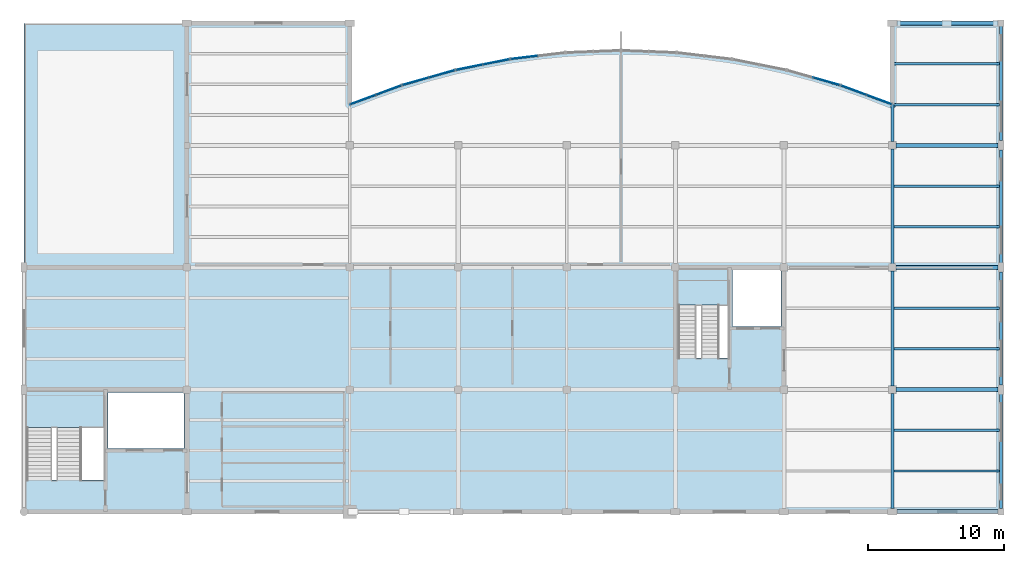
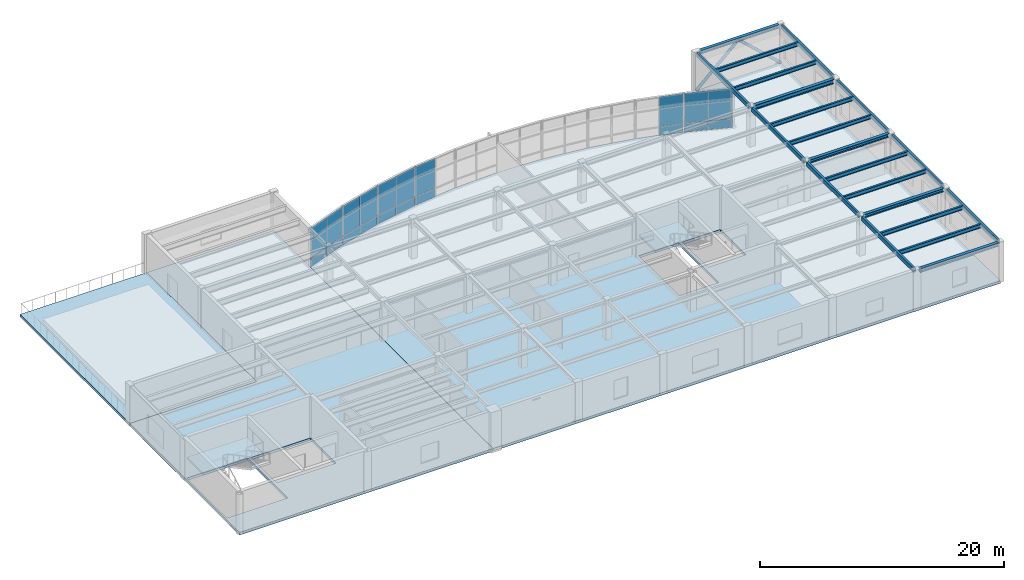
# One storey, part 5 of 12: 30 plates, 21 beams, 5 slabs, 2 members, 8 elements without a shape of their own.
"""IFC4 building model written with IfcOpenShell, lengths in metres."""

from ifc_helpers import new_model, si_unit, direction, frame, origin, origin_2d, place, context, subcontext, project, spatial, polyline, rectangle, hollow_rectangle, hollow_circle, i_section, outline, extrude, material, layer, layer_set, material_profile, profile_set, type_object, element, aggregate, save


model = new_model("IFC4")

# Units and contexts
model_context = context("Model", 3, precision=1e-05, world=origin(), true_north=direction((0.0, 1.0)))
body_context = subcontext(model_context, "Body", "Model", "MODEL_VIEW")
ifc_project = project(units=[si_unit("LENGTHUNIT", "METRE"), si_unit("AREAUNIT", "SQUARE_METRE"), si_unit("VOLUMEUNIT", "CUBIC_METRE"), si_unit("PLANEANGLEUNIT", "RADIAN"), si_unit("MASSUNIT", "GRAM", prefix="KILO")], contexts=[model_context])

# Site, building, storey
site_placement = place(None, origin())
site = spatial("IfcSite", under=ifc_project, at=site_placement, CompositionType="ELEMENT")
building_placement = place(site_placement, origin())
building = spatial("IfcBuilding", under=site, at=building_placement, Name="Keelwater Ferry Terminal", CompositionType="ELEMENT")
storey_placement = place(building_placement, frame((0.0, 0.0, 19.5)))
storey = spatial("IfcBuildingStorey", under=building, at=storey_placement, Name="L04", CompositionType="ELEMENT", Elevation=19.5)

# Members
ifc_material_1 = material(Name="Steel S355", Category="steel")
ifc_material_profile_1 = material_profile(ifc_material_1, hollow_circle(Radius=0.136474609375, WallThickness=0.012451171875, at=origin_2d()), Name="CHS 273x12.5")
ifc_profile_set_1 = profile_set([ifc_material_profile_1], Name="Steel S355")
member_type = type_object("IfcMemberType", Name="BR2 CHS 273x12.5", PredefinedType="BRACE", material=ifc_profile_set_1)
for number, where, z_axis, x_axis, name in (
    (1, (172.0, 126.0, 0.0), (0.735020121009, 0.0, 0.678045294735), (0.0, 1.0, 0.0), "Structural Member MB-L04-0587"),
    (2, (180.0, 126.0, 0.0), (-0.735020121009, 0.0, 0.678045294735), (0.0, -1.0, 0.0), "Structural Member MB-L04-0588"),
):
    element("IfcMember", number, at=place(storey_placement, frame(where, z_axis=z_axis, x_axis=x_axis)), inside=storey, type_object=member_type, Name=name, PredefinedType="BRACE", context=body_context, shape_type="SweptSolid", body=[
        extrude(hollow_circle(Radius=0.136474609375, WallThickness=0.012451171875, at=origin_2d()), origin(), (0.0, 0.0, 1.0), 5.442138671875),
    ])

# Beams
ifc_material_2 = material(Name="Steel S355", Category="steel")
ifc_material_profile_2 = material_profile(ifc_material_2, i_section(OverallWidth=0.300048828125, OverallDepth=0.449951171875, WebThickness=0.013916015625, FlangeThickness=0.02587890625, at=origin_2d()), Name="HEB 450")
ifc_profile_set_2 = profile_set([ifc_material_profile_2], Name="Steel S355")
beam_type_1 = type_object("IfcBeamType", Name="G6 HEB 450", PredefinedType="BEAM", material=ifc_profile_set_2)
beam_1_placement = place(storey_placement, frame((172.27001953125, 117.0, 3.715087890625), z_axis=(1.0, 0.0, 0.0), x_axis=(0.0, 1.0, 0.0)))
element("IfcBeam", 3, at=beam_1_placement, inside=storey, type_object=beam_type_1, Name="Beam BM-L04-1484", PredefinedType="BEAM", context=body_context, shape_type="SweptSolid", body=[
    extrude(i_section(OverallWidth=0.300048828125, OverallDepth=0.449951171875, WebThickness=0.013916015625, FlangeThickness=0.02587890625, at=origin_2d()), origin(), (0.0, 0.0, 1.0), 7.510009765625),
])
ifc_material_3 = material(Name="Steel S355", Category="steel")
ifc_material_profile_3 = material_profile(ifc_material_3, i_section(OverallWidth=0.179931640625, OverallDepth=0.39990234375, WebThickness=0.008544921875, FlangeThickness=0.013427734375, at=origin_2d()), Name="IPE 400")
ifc_profile_set_3 = profile_set([ifc_material_profile_3], Name="Steel S355")
beam_type_2 = type_object("IfcBeamType", Name="J5 IPE 400", PredefinedType="JOIST", material=ifc_profile_set_3)
for number, where, z_axis, x_axis, name in (
    (4, (172.10009765625, 93.0, 3.739990234375), (1.0, 0.0, 0.0), (0.0, 1.0, 0.0), "Beam BM-L04-1558"),
    (5, (172.10009765625, 96.0, 3.739990234375), (1.0, 0.0, 0.0), (0.0, 1.0, 0.0), "Beam BM-L04-1559"),
    (6, (172.10009765625, 102.0, 3.739990234375), (1.0, 0.0, 0.0), (0.0, 1.0, 0.0), "Beam BM-L04-1560"),
    (7, (172.10009765625, 105.0, 3.739990234375), (1.0, 0.0, 0.0), (0.0, 1.0, 0.0), "Beam BM-L04-1561"),
    (8, (172.10009765625, 111.0, 3.739990234375), (1.0, 0.0, 0.0), (0.0, 1.0, 0.0), "Beam BM-L04-1562"),
    (9, (172.10009765625, 114.0, 3.739990234375), (1.0, 0.0, 0.0), (0.0, 1.0, 0.0), "Beam BM-L04-1563"),
    (10, (172.10009765625, 120.0, 3.739990234375), (1.0, 0.0, 0.0), (0.0, 1.0, 0.0), "Beam BM-L04-1564"),
    (11, (172.10009765625, 123.0, 3.739990234375), (1.0, 0.0, 0.0), (0.0, 1.0, 0.0), "Beam BM-L04-1565"),
):
    element("IfcBeam", number, at=place(storey_placement, frame(where, z_axis=z_axis, x_axis=x_axis)), inside=storey, type_object=beam_type_2, Name=name, PredefinedType="JOIST", context=body_context, shape_type="SweptSolid", body=[
        extrude(i_section(OverallWidth=0.179931640625, OverallDepth=0.39990234375, WebThickness=0.008544921875, FlangeThickness=0.013427734375, at=origin_2d()), origin(), (0.0, 0.0, 1.0), 7.7998046875),
    ])
ifc_material_4 = material(Name="Steel S355", Category="steel")
ifc_material_profile_4 = material_profile(ifc_material_4, i_section(OverallWidth=0.300048828125, OverallDepth=0.35009765625, WebThickness=0.010009765625, FlangeThickness=0.017578125, at=origin_2d()), Name="HEA 360")
ifc_profile_set_4 = profile_set([ifc_material_profile_4], Name="Steel S355")
beam_type_3 = type_object("IfcBeamType", Name="SP1E HEA 360", PredefinedType="SPANDREL", material=ifc_profile_set_4)
beam_2_placement = place(storey_placement, frame((172.343017578125, 90.0, 3.764892578125), z_axis=(1.0, 0.0, 0.0), x_axis=(0.0, 1.0, 0.0)))
element("IfcBeam", 12, at=beam_2_placement, inside=storey, type_object=beam_type_3, Name="Beam BM-L04-1461", PredefinedType="SPANDREL", context=body_context, shape_type="SweptSolid", body=[
    extrude(i_section(OverallWidth=0.300048828125, OverallDepth=0.35009765625, WebThickness=0.010009765625, FlangeThickness=0.017578125, at=origin_2d()), origin(), (0.0, 0.0, 1.0), 7.43701171875),
])
for number, where, z_axis, x_axis, name in (
    (13, (172.27001953125, 99.0, 3.764892578125), (1.0, 0.0, 0.0), (0.0, 1.0, 0.0), "Beam BM-L04-1469"),
    (14, (172.27001953125, 108.0, 3.764892578125), (1.0, 0.0, 0.0), (0.0, 1.0, 0.0), "Beam BM-L04-1477"),
):
    element("IfcBeam", number, at=place(storey_placement, frame(where, z_axis=z_axis, x_axis=x_axis)), inside=storey, type_object=beam_type_3, Name=name, PredefinedType="SPANDREL", context=body_context, shape_type="SweptSolid", body=[
        extrude(i_section(OverallWidth=0.300048828125, OverallDepth=0.35009765625, WebThickness=0.010009765625, FlangeThickness=0.017578125, at=origin_2d()), origin(), (0.0, 0.0, 1.0), 7.510009765625),
    ])
beam_3_placement = place(storey_placement, frame((172.343017578125, 126.0, 3.764892578125), z_axis=(1.0, 0.0, 0.0), x_axis=(0.0, 1.0, 0.0)))
element("IfcBeam", 15, at=beam_3_placement, inside=storey, type_object=beam_type_3, Name="Beam BM-L04-1486", PredefinedType="SPANDREL", context=body_context, shape_type="SweptSolid", body=[
    extrude(i_section(OverallWidth=0.300048828125, OverallDepth=0.35009765625, WebThickness=0.010009765625, FlangeThickness=0.017578125, at=origin_2d()), origin(), (0.0, 0.0, 1.0), 7.43701171875),
])
ifc_material_5 = material(Name="Steel S355", Category="steel")
ifc_material_profile_5 = material_profile(ifc_material_5, hollow_rectangle(XDim=0.199951171875, YDim=0.39990234375, WallThickness=0.01611328125, at=origin_2d()), Name="RHS 400x200x16")
ifc_profile_set_5 = profile_set([ifc_material_profile_5], Name="Steel S355")
beam_type_4 = type_object("IfcBeamType", Name="SP3E RHS 400x200x16", PredefinedType="SPANDREL", material=ifc_profile_set_5)
beam_4_placement = place(storey_placement, frame((172.0, 90.219970703125, 3.739990234375), z_axis=(0.0, 1.0, 0.0), x_axis=(-1.0, 0.0, 0.0)))
element("IfcBeam", 16, at=beam_4_placement, inside=storey, type_object=beam_type_4, Name="Beam BM-L04-1509", PredefinedType="SPANDREL", context=body_context, shape_type="SweptSolid", body=[
    extrude(hollow_rectangle(XDim=0.199951171875, YDim=0.39990234375, WallThickness=0.01611328125, at=origin_2d()), origin(), (0.0, 0.0, 1.0), 8.510009765625),
])
for number, where, z_axis, x_axis, name in (
    (17, (172.0, 99.27001953125, 3.739990234375), (0.0, 1.0, 0.0), (-1.0, 0.0, 0.0), "Beam BM-L04-1510"),
    (18, (172.0, 108.27001953125, 3.739990234375), (0.0, 1.0, 0.0), (-1.0, 0.0, 0.0), "Beam BM-L04-1511"),
):
    element("IfcBeam", number, at=place(storey_placement, frame(where, z_axis=z_axis, x_axis=x_axis)), inside=storey, type_object=beam_type_4, Name=name, PredefinedType="SPANDREL", context=body_context, shape_type="SweptSolid", body=[
        extrude(hollow_rectangle(XDim=0.199951171875, YDim=0.39990234375, WallThickness=0.01611328125, at=origin_2d()), origin(), (0.0, 0.0, 1.0), 8.4599609375),
    ])
beam_5_placement = place(storey_placement, frame((172.0, 117.27001953125, 3.739990234375), z_axis=(0.0, 1.0, 0.0), x_axis=(-1.0, 0.0, 0.0)))
element("IfcBeam", 19, at=beam_5_placement, inside=storey, type_object=beam_type_4, Name="Beam BM-L04-1512", PredefinedType="SPANDREL", context=body_context, shape_type="SweptSolid", body=[
    extrude(hollow_rectangle(XDim=0.199951171875, YDim=0.39990234375, WallThickness=0.01611328125, at=origin_2d()), origin(), (0.0, 0.0, 1.0), 8.510009765625),
])
beam_6_placement = place(storey_placement, frame((180.0, 90.219970703125, 3.739990234375), z_axis=(0.0, 1.0, 0.0), x_axis=(-1.0, 0.0, 0.0)))
element("IfcBeam", 20, at=beam_6_placement, inside=storey, type_object=beam_type_4, Name="Beam BM-L04-1513", PredefinedType="SPANDREL", context=body_context, shape_type="SweptSolid", body=[
    extrude(hollow_rectangle(XDim=0.199951171875, YDim=0.39990234375, WallThickness=0.01611328125, at=origin_2d()), origin(), (0.0, 0.0, 1.0), 8.43701171875),
])
for number, where, z_axis, x_axis, name in (
    (21, (180.0, 99.343017578125, 3.739990234375), (0.0, 1.0, 0.0), (-1.0, 0.0, 0.0), "Beam BM-L04-1514"),
    (22, (180.0, 108.343017578125, 3.739990234375), (0.0, 1.0, 0.0), (-1.0, 0.0, 0.0), "Beam BM-L04-1515"),
):
    element("IfcBeam", number, at=place(storey_placement, frame(where, z_axis=z_axis, x_axis=x_axis)), inside=storey, type_object=beam_type_4, Name=name, PredefinedType="SPANDREL", context=body_context, shape_type="SweptSolid", body=[
        extrude(hollow_rectangle(XDim=0.199951171875, YDim=0.39990234375, WallThickness=0.01611328125, at=origin_2d()), origin(), (0.0, 0.0, 1.0), 8.31396484375),
    ])
beam_7_placement = place(storey_placement, frame((180.0, 117.343017578125, 3.739990234375), z_axis=(0.0, 1.0, 0.0), x_axis=(-1.0, 0.0, 0.0)))
element("IfcBeam", 23, at=beam_7_placement, inside=storey, type_object=beam_type_4, Name="Beam BM-L04-1516", PredefinedType="SPANDREL", context=body_context, shape_type="SweptSolid", body=[
    extrude(hollow_rectangle(XDim=0.199951171875, YDim=0.39990234375, WallThickness=0.01611328125, at=origin_2d()), origin(), (0.0, 0.0, 1.0), 8.43701171875),
])

# Curtain wall, plates
ifc_material_6 = material(Name="Thermally broken unitised aluminium and triple glass", Category="aluminium")
ifc_layer_1 = layer(ifc_material_6, 0.179931640625)
ifc_layer_set_1 = layer_set([ifc_layer_1], Name="Thermally broken unitised aluminium and triple glass")
curtain_wall_type = type_object("IfcCurtainWallType", Name="CW-23 Unitised Curtain Wall 4015x3850", PredefinedType="USERDEFINED", material=ifc_layer_set_1)
curtain_wall_1_placement = place(storey_placement, origin())
curtain_wall_1 = element("IfcCurtainWall", 24, at=curtain_wall_1_placement, inside=storey, type_object=curtain_wall_type, Name="Unitised Curtain Wall CW-L04-213", ObjectType="UNITISED CURTAIN WALL", PredefinedType="USERDEFINED")
ifc_material_7 = material(Name="Insulated terracotta shadow-box spandrel", Category="masonry")
ifc_layer_2 = layer(ifc_material_7, 0.110107421875)
ifc_layer_set_2 = layer_set([ifc_layer_2], Name="Insulated terracotta shadow-box spandrel")
plate_type_1 = type_object("IfcPlateType", Name="CWP-S3 Insulated Spandrel Panel 110", PredefinedType="CURTAIN_PANEL", material=ifc_layer_set_2)
plate_1_placement = place(storey_placement, frame((171.01708984375, 120.364990234375, 0.0), z_axis=(0.0, 0.0, 1.0), x_axis=(-0.937592418253, 0.347736189136, 0.0)))
plate_1 = element("IfcPlate", 25, at=plate_1_placement, type_object=plate_type_1, Name="CW-L04-213 Panel 1.1", PredefinedType="CURTAIN_PANEL", context=body_context, shape_type="SweptSolid", body=[
    extrude(rectangle(XDim=2.00732421875, YDim=0.110107421875, at=origin_2d()), origin(), (0.0, 0.0, 1.0), 0.85009765625),
])
plate_2_placement = place(storey_placement, frame((169.135009765625, 121.06298828125, 0.0), z_axis=(0.0, 0.0, 1.0), x_axis=(-0.937592418253, 0.347736189136, 0.0)))
plate_2 = element("IfcPlate", 26, at=plate_2_placement, type_object=plate_type_1, Name="CW-L04-213 Panel 2.1", PredefinedType="CURTAIN_PANEL", context=body_context, shape_type="SweptSolid", body=[
    extrude(rectangle(XDim=2.00732421875, YDim=0.110107421875, at=origin_2d()), origin(), (0.0, 0.0, 1.0), 0.85009765625),
])

# Curtain wall, plate
curtain_wall_2_placement = place(storey_placement, origin())
curtain_wall_2 = element("IfcCurtainWall", 27, at=curtain_wall_2_placement, inside=storey, type_object=curtain_wall_type, Name="Unitised Curtain Wall CW-L04-214", ObjectType="UNITISED CURTAIN WALL", PredefinedType="USERDEFINED")
plate_3_placement = place(storey_placement, frame((167.143310546875, 121.714111328125, 0.0), z_axis=(0.0, 0.0, 1.0), x_axis=(-0.962029778706, 0.272944508797, 0.0)))
plate_3 = element("IfcPlate", 28, at=plate_3_placement, type_object=plate_type_1, Name="CW-L04-214 Panel 1.1", PredefinedType="CURTAIN_PANEL", context=body_context, shape_type="SweptSolid", body=[
    extrude(rectangle(XDim=2.0078125, YDim=0.110107421875, at=origin_2d()), origin(), (0.0, 0.0, 1.0), 0.85009765625),
])

curtain_wall_3_placement = place(storey_placement, origin())
curtain_wall_3 = element("IfcCurtainWall", 29, at=curtain_wall_3_placement, inside=storey, type_object=curtain_wall_type, Name="Unitised Curtain Wall CW-L04-219", ObjectType="UNITISED CURTAIN WALL", PredefinedType="USERDEFINED")
plate_4_placement = place(storey_placement, frame((144.863525390625, 123.476806640625, 0.0), z_axis=(0.0, 0.0, 1.0), x_axis=(-0.992974342459, -0.118329857676, 0.0)))
plate_4 = element("IfcPlate", 30, at=plate_4_placement, type_object=plate_type_1, Name="CW-L04-219 Panel 2.1", PredefinedType="CURTAIN_PANEL", context=body_context, shape_type="SweptSolid", body=[
    extrude(rectangle(XDim=2.007080078125, YDim=0.110107421875, at=origin_2d()), origin(), (0.0, 0.0, 1.0), 0.85009765625),
])

# Curtain wall, plates
curtain_wall_4_placement = place(storey_placement, origin())
curtain_wall_4 = element("IfcCurtainWall", 31, at=curtain_wall_4_placement, inside=storey, type_object=curtain_wall_type, Name="Unitised Curtain Wall CW-L04-220", ObjectType="UNITISED CURTAIN WALL", PredefinedType="USERDEFINED")
plate_5_placement = place(storey_placement, frame((142.793701171875, 123.147216796875, 0.0), z_axis=(0.0, 0.0, 1.0), x_axis=(-0.98059983046, -0.196020336958, 0.0)))
plate_5 = element("IfcPlate", 32, at=plate_5_placement, type_object=plate_type_1, Name="CW-L04-220 Panel 1.1", PredefinedType="CURTAIN_PANEL", context=body_context, shape_type="SweptSolid", body=[
    extrude(rectangle(XDim=2.00732421875, YDim=0.110107421875, at=origin_2d()), origin(), (0.0, 0.0, 1.0), 0.85009765625),
])
plate_6_placement = place(storey_placement, frame((140.8251953125, 122.753662109375, 0.0), z_axis=(0.0, 0.0, 1.0), x_axis=(-0.98059983046, -0.196020336958, 0.0)))
plate_6 = element("IfcPlate", 33, at=plate_6_placement, type_object=plate_type_1, Name="CW-L04-220 Panel 2.1", PredefinedType="CURTAIN_PANEL", context=body_context, shape_type="SweptSolid", body=[
    extrude(rectangle(XDim=2.00732421875, YDim=0.110107421875, at=origin_2d()), origin(), (0.0, 0.0, 1.0), 0.85009765625),
])

curtain_wall_5_placement = place(storey_placement, origin())
curtain_wall_5 = element("IfcCurtainWall", 34, at=curtain_wall_5_placement, inside=storey, type_object=curtain_wall_type, Name="Unitised Curtain Wall CW-L04-221", ObjectType="UNITISED CURTAIN WALL", PredefinedType="USERDEFINED")
plate_7_placement = place(storey_placement, frame((138.788330078125, 122.261962890625, 0.0), z_axis=(0.0, 0.0, 1.0), x_axis=(-0.962029778706, -0.272944508797, 0.0)))
plate_7 = element("IfcPlate", 35, at=plate_7_placement, type_object=plate_type_1, Name="CW-L04-221 Panel 1.1", PredefinedType="CURTAIN_PANEL", context=body_context, shape_type="SweptSolid", body=[
    extrude(rectangle(XDim=2.0078125, YDim=0.110107421875, at=origin_2d()), origin(), (0.0, 0.0, 1.0), 0.85009765625),
])
plate_8_placement = place(storey_placement, frame((136.856689453125, 121.714111328125, 0.0), z_axis=(0.0, 0.0, 1.0), x_axis=(-0.962029778706, -0.272944508797, 0.0)))
plate_8 = element("IfcPlate", 36, at=plate_8_placement, type_object=plate_type_1, Name="CW-L04-221 Panel 2.1", PredefinedType="CURTAIN_PANEL", context=body_context, shape_type="SweptSolid", body=[
    extrude(rectangle(XDim=2.0078125, YDim=0.110107421875, at=origin_2d()), origin(), (0.0, 0.0, 1.0), 0.85009765625),
])

curtain_wall_6_placement = place(storey_placement, origin())
curtain_wall_6 = element("IfcCurtainWall", 37, at=curtain_wall_6_placement, inside=storey, type_object=curtain_wall_type, Name="Unitised Curtain Wall CW-L04-222", ObjectType="UNITISED CURTAIN WALL", PredefinedType="USERDEFINED")
plate_9_placement = place(storey_placement, frame((134.864990234375, 121.06298828125, 0.0), z_axis=(0.0, 0.0, 1.0), x_axis=(-0.937592418253, -0.347736189136, 0.0)))
plate_9 = element("IfcPlate", 38, at=plate_9_placement, type_object=plate_type_1, Name="CW-L04-222 Panel 1.1", PredefinedType="CURTAIN_PANEL", context=body_context, shape_type="SweptSolid", body=[
    extrude(rectangle(XDim=2.00732421875, YDim=0.110107421875, at=origin_2d()), origin(), (0.0, 0.0, 1.0), 0.85009765625),
])
plate_10_placement = place(storey_placement, frame((132.98291015625, 120.364990234375, 0.0), z_axis=(0.0, 0.0, 1.0), x_axis=(-0.937592418253, -0.347736189136, 0.0)))
plate_10 = element("IfcPlate", 39, at=plate_10_placement, type_object=plate_type_1, Name="CW-L04-222 Panel 2.1", PredefinedType="CURTAIN_PANEL", context=body_context, shape_type="SweptSolid", body=[
    extrude(rectangle(XDim=2.00732421875, YDim=0.110107421875, at=origin_2d()), origin(), (0.0, 0.0, 1.0), 0.85009765625),
])

# Plate
ifc_material_8 = material(Name="Triple low-E laminated glass", Category="glass")
ifc_layer_3 = layer(ifc_material_8, 0.035888671875)
ifc_layer_set_3 = layer_set([ifc_layer_3], Name="Triple low-E laminated glass")
plate_type_2 = type_object("IfcPlateType", Name="CWP-V1 Glazed Vision Panel 36", PredefinedType="CURTAIN_PANEL", material=ifc_layer_set_3)
plate_11_placement = place(storey_placement, frame((171.01708984375, 120.364990234375, 0.85009765625), z_axis=(0.0, 0.0, 1.0), x_axis=(-0.937592418253, 0.347736189136, 0.0)))
plate_11 = element("IfcPlate", 40, at=plate_11_placement, type_object=plate_type_2, Name="CW-L04-213 Panel 1.2", PredefinedType="CURTAIN_PANEL", context=body_context, shape_type="SweptSolid", body=[
    extrude(rectangle(XDim=2.00732421875, YDim=0.035888671875, at=origin_2d()), origin(), (0.0, 0.0, 1.0), 1.800048828125),
])

plate_12_placement = place(storey_placement, frame((171.01708984375, 120.364990234375, 2.64990234375), z_axis=(0.0, 0.0, 1.0), x_axis=(-0.937592418253, 0.347736189136, 0.0)))
plate_12 = element("IfcPlate", 41, at=plate_12_placement, type_object=plate_type_2, Name="CW-L04-213 Panel 1.3", PredefinedType="CURTAIN_PANEL", context=body_context, shape_type="SweptSolid", body=[
    extrude(rectangle(XDim=2.00732421875, YDim=0.035888671875, at=origin_2d()), origin(), (0.0, 0.0, 1.0), 1.199951171875),
])

plate_13_placement = place(storey_placement, frame((169.135009765625, 121.06298828125, 0.85009765625), z_axis=(0.0, 0.0, 1.0), x_axis=(-0.937592418253, 0.347736189136, 0.0)))
plate_13 = element("IfcPlate", 42, at=plate_13_placement, type_object=plate_type_2, Name="CW-L04-213 Panel 2.2", PredefinedType="CURTAIN_PANEL", context=body_context, shape_type="SweptSolid", body=[
    extrude(rectangle(XDim=2.00732421875, YDim=0.035888671875, at=origin_2d()), origin(), (0.0, 0.0, 1.0), 1.800048828125),
])

plate_14_placement = place(storey_placement, frame((169.135009765625, 121.06298828125, 2.64990234375), z_axis=(0.0, 0.0, 1.0), x_axis=(-0.937592418253, 0.347736189136, 0.0)))
plate_14 = element("IfcPlate", 43, at=plate_14_placement, type_object=plate_type_2, Name="CW-L04-213 Panel 2.3", PredefinedType="CURTAIN_PANEL", context=body_context, shape_type="SweptSolid", body=[
    extrude(rectangle(XDim=2.00732421875, YDim=0.035888671875, at=origin_2d()), origin(), (0.0, 0.0, 1.0), 1.199951171875),
])

aggregate(curtain_wall_1, [plate_1, plate_11, plate_12, plate_2, plate_13, plate_14])

plate_15_placement = place(storey_placement, frame((167.143310546875, 121.714111328125, 0.85009765625), z_axis=(0.0, 0.0, 1.0), x_axis=(-0.962029778706, 0.272944508797, 0.0)))
plate_15 = element("IfcPlate", 44, at=plate_15_placement, type_object=plate_type_2, Name="CW-L04-214 Panel 1.2", PredefinedType="CURTAIN_PANEL", context=body_context, shape_type="SweptSolid", body=[
    extrude(rectangle(XDim=2.0078125, YDim=0.035888671875, at=origin_2d()), origin(), (0.0, 0.0, 1.0), 1.800048828125),
])

plate_16_placement = place(storey_placement, frame((167.143310546875, 121.714111328125, 2.64990234375), z_axis=(0.0, 0.0, 1.0), x_axis=(-0.962029778706, 0.272944508797, 0.0)))
plate_16 = element("IfcPlate", 45, at=plate_16_placement, type_object=plate_type_2, Name="CW-L04-214 Panel 1.3", PredefinedType="CURTAIN_PANEL", context=body_context, shape_type="SweptSolid", body=[
    extrude(rectangle(XDim=2.0078125, YDim=0.035888671875, at=origin_2d()), origin(), (0.0, 0.0, 1.0), 1.199951171875),
])

aggregate(curtain_wall_2, [plate_3, plate_15, plate_16])

plate_17_placement = place(storey_placement, frame((144.863525390625, 123.476806640625, 0.85009765625), z_axis=(0.0, 0.0, 1.0), x_axis=(-0.992974342459, -0.118329857676, 0.0)))
plate_17 = element("IfcPlate", 46, at=plate_17_placement, type_object=plate_type_2, Name="CW-L04-219 Panel 2.2", PredefinedType="CURTAIN_PANEL", context=body_context, shape_type="SweptSolid", body=[
    extrude(rectangle(XDim=2.007080078125, YDim=0.035888671875, at=origin_2d()), origin(), (0.0, 0.0, 1.0), 1.800048828125),
])

plate_18_placement = place(storey_placement, frame((144.863525390625, 123.476806640625, 2.64990234375), z_axis=(0.0, 0.0, 1.0), x_axis=(-0.992974342459, -0.118329857676, 0.0)))
plate_18 = element("IfcPlate", 47, at=plate_18_placement, type_object=plate_type_2, Name="CW-L04-219 Panel 2.3", PredefinedType="CURTAIN_PANEL", context=body_context, shape_type="SweptSolid", body=[
    extrude(rectangle(XDim=2.007080078125, YDim=0.035888671875, at=origin_2d()), origin(), (0.0, 0.0, 1.0), 1.199951171875),
])

aggregate(curtain_wall_3, [plate_4, plate_17, plate_18])

plate_19_placement = place(storey_placement, frame((142.793701171875, 123.147216796875, 0.85009765625), z_axis=(0.0, 0.0, 1.0), x_axis=(-0.98059983046, -0.196020336958, 0.0)))
plate_19 = element("IfcPlate", 48, at=plate_19_placement, type_object=plate_type_2, Name="CW-L04-220 Panel 1.2", PredefinedType="CURTAIN_PANEL", context=body_context, shape_type="SweptSolid", body=[
    extrude(rectangle(XDim=2.00732421875, YDim=0.035888671875, at=origin_2d()), origin(), (0.0, 0.0, 1.0), 1.800048828125),
])

plate_20_placement = place(storey_placement, frame((142.793701171875, 123.147216796875, 2.64990234375), z_axis=(0.0, 0.0, 1.0), x_axis=(-0.98059983046, -0.196020336958, 0.0)))
plate_20 = element("IfcPlate", 49, at=plate_20_placement, type_object=plate_type_2, Name="CW-L04-220 Panel 1.3", PredefinedType="CURTAIN_PANEL", context=body_context, shape_type="SweptSolid", body=[
    extrude(rectangle(XDim=2.00732421875, YDim=0.035888671875, at=origin_2d()), origin(), (0.0, 0.0, 1.0), 1.199951171875),
])

plate_21_placement = place(storey_placement, frame((140.8251953125, 122.753662109375, 0.85009765625), z_axis=(0.0, 0.0, 1.0), x_axis=(-0.98059983046, -0.196020336958, 0.0)))
plate_21 = element("IfcPlate", 50, at=plate_21_placement, type_object=plate_type_2, Name="CW-L04-220 Panel 2.2", PredefinedType="CURTAIN_PANEL", context=body_context, shape_type="SweptSolid", body=[
    extrude(rectangle(XDim=2.00732421875, YDim=0.035888671875, at=origin_2d()), origin(), (0.0, 0.0, 1.0), 1.800048828125),
])

plate_22_placement = place(storey_placement, frame((140.8251953125, 122.753662109375, 2.64990234375), z_axis=(0.0, 0.0, 1.0), x_axis=(-0.98059983046, -0.196020336958, 0.0)))
plate_22 = element("IfcPlate", 51, at=plate_22_placement, type_object=plate_type_2, Name="CW-L04-220 Panel 2.3", PredefinedType="CURTAIN_PANEL", context=body_context, shape_type="SweptSolid", body=[
    extrude(rectangle(XDim=2.00732421875, YDim=0.035888671875, at=origin_2d()), origin(), (0.0, 0.0, 1.0), 1.199951171875),
])

aggregate(curtain_wall_4, [plate_5, plate_19, plate_20, plate_6, plate_21, plate_22])

plate_23_placement = place(storey_placement, frame((138.788330078125, 122.261962890625, 0.85009765625), z_axis=(0.0, 0.0, 1.0), x_axis=(-0.962029778706, -0.272944508797, 0.0)))
plate_23 = element("IfcPlate", 52, at=plate_23_placement, type_object=plate_type_2, Name="CW-L04-221 Panel 1.2", PredefinedType="CURTAIN_PANEL", context=body_context, shape_type="SweptSolid", body=[
    extrude(rectangle(XDim=2.0078125, YDim=0.035888671875, at=origin_2d()), origin(), (0.0, 0.0, 1.0), 1.800048828125),
])

plate_24_placement = place(storey_placement, frame((138.788330078125, 122.261962890625, 2.64990234375), z_axis=(0.0, 0.0, 1.0), x_axis=(-0.962029778706, -0.272944508797, 0.0)))
plate_24 = element("IfcPlate", 53, at=plate_24_placement, type_object=plate_type_2, Name="CW-L04-221 Panel 1.3", PredefinedType="CURTAIN_PANEL", context=body_context, shape_type="SweptSolid", body=[
    extrude(rectangle(XDim=2.0078125, YDim=0.035888671875, at=origin_2d()), origin(), (0.0, 0.0, 1.0), 1.199951171875),
])

plate_25_placement = place(storey_placement, frame((136.856689453125, 121.714111328125, 0.85009765625), z_axis=(0.0, 0.0, 1.0), x_axis=(-0.962029778706, -0.272944508797, 0.0)))
plate_25 = element("IfcPlate", 54, at=plate_25_placement, type_object=plate_type_2, Name="CW-L04-221 Panel 2.2", PredefinedType="CURTAIN_PANEL", context=body_context, shape_type="SweptSolid", body=[
    extrude(rectangle(XDim=2.0078125, YDim=0.035888671875, at=origin_2d()), origin(), (0.0, 0.0, 1.0), 1.800048828125),
])

plate_26_placement = place(storey_placement, frame((136.856689453125, 121.714111328125, 2.64990234375), z_axis=(0.0, 0.0, 1.0), x_axis=(-0.962029778706, -0.272944508797, 0.0)))
plate_26 = element("IfcPlate", 55, at=plate_26_placement, type_object=plate_type_2, Name="CW-L04-221 Panel 2.3", PredefinedType="CURTAIN_PANEL", context=body_context, shape_type="SweptSolid", body=[
    extrude(rectangle(XDim=2.0078125, YDim=0.035888671875, at=origin_2d()), origin(), (0.0, 0.0, 1.0), 1.199951171875),
])

aggregate(curtain_wall_5, [plate_7, plate_23, plate_24, plate_8, plate_25, plate_26])

plate_27_placement = place(storey_placement, frame((134.864990234375, 121.06298828125, 0.85009765625), z_axis=(0.0, 0.0, 1.0), x_axis=(-0.937592418253, -0.347736189136, 0.0)))
plate_27 = element("IfcPlate", 56, at=plate_27_placement, type_object=plate_type_2, Name="CW-L04-222 Panel 1.2", PredefinedType="CURTAIN_PANEL", context=body_context, shape_type="SweptSolid", body=[
    extrude(rectangle(XDim=2.00732421875, YDim=0.035888671875, at=origin_2d()), origin(), (0.0, 0.0, 1.0), 1.800048828125),
])

plate_28_placement = place(storey_placement, frame((134.864990234375, 121.06298828125, 2.64990234375), z_axis=(0.0, 0.0, 1.0), x_axis=(-0.937592418253, -0.347736189136, 0.0)))
plate_28 = element("IfcPlate", 57, at=plate_28_placement, type_object=plate_type_2, Name="CW-L04-222 Panel 1.3", PredefinedType="CURTAIN_PANEL", context=body_context, shape_type="SweptSolid", body=[
    extrude(rectangle(XDim=2.00732421875, YDim=0.035888671875, at=origin_2d()), origin(), (0.0, 0.0, 1.0), 1.199951171875),
])

plate_29_placement = place(storey_placement, frame((132.98291015625, 120.364990234375, 0.85009765625), z_axis=(0.0, 0.0, 1.0), x_axis=(-0.937592418253, -0.347736189136, 0.0)))
plate_29 = element("IfcPlate", 58, at=plate_29_placement, type_object=plate_type_2, Name="CW-L04-222 Panel 2.2", PredefinedType="CURTAIN_PANEL", context=body_context, shape_type="SweptSolid", body=[
    extrude(rectangle(XDim=2.00732421875, YDim=0.035888671875, at=origin_2d()), origin(), (0.0, 0.0, 1.0), 1.800048828125),
])

plate_30_placement = place(storey_placement, frame((132.98291015625, 120.364990234375, 2.64990234375), z_axis=(0.0, 0.0, 1.0), x_axis=(-0.937592418253, -0.347736189136, 0.0)))
plate_30 = element("IfcPlate", 59, at=plate_30_placement, type_object=plate_type_2, Name="CW-L04-222 Panel 2.3", PredefinedType="CURTAIN_PANEL", context=body_context, shape_type="SweptSolid", body=[
    extrude(rectangle(XDim=2.00732421875, YDim=0.035888671875, at=origin_2d()), origin(), (0.0, 0.0, 1.0), 1.199951171875),
])

aggregate(curtain_wall_6, [plate_9, plate_27, plate_28, plate_10, plate_29, plate_30])

# Slabs
ifc_material_9 = material(Name="Concrete C40/50", Category="concrete")
ifc_layer_4 = layer(ifc_material_9, 0.25)
ifc_layer_set_4 = layer_set([ifc_layer_4], Name="Concrete C40/50")
slab_type_1 = type_object("IfcSlabType", Name="SL-EX250 Outdoor Suspended Floor Slab 250", PredefinedType="FLOOR", material=ifc_layer_set_4)
slab_1_placement = place(storey_placement, frame((0.0, 0.0, -0.25)))
element("IfcSlab", 60, at=slab_1_placement, inside=storey, type_object=slab_type_1, Name="L04 Belvedere Terrace Slab SL-L04-053", PredefinedType="FLOOR", context=body_context, shape_type="SweptSolid", body=[
    extrude(outline(polyline([(108.0, 108.0), (120.0, 108.0), (120.0, 126.0), (108.0, 126.0), (108.0, 108.0)])), origin(), (0.0, 0.0, 1.0), 0.25),
])
ifc_material_10 = material(Name="Concrete C40/50", Category="concrete")
ifc_layer_5 = layer(ifc_material_10, 0.260009765625)
ifc_layer_set_5 = layer_set([ifc_layer_5], Name="Concrete C40/50")
slab_type_2 = type_object("IfcSlabType", Name="SL-F260 Suspended Floor Slab 260", PredefinedType="FLOOR", material=ifc_layer_set_5)
slab_2_placement = place(storey_placement, frame((0.0, 0.0, -0.260009765625)))
element("IfcSlab", 61, at=slab_2_placement, inside=storey, type_object=slab_type_2, Name="V5 West Maritime Operations Floor Slab SL-L04-051", PredefinedType="FLOOR", context=body_context, shape_type="SweptSolid", body=[
    extrude(outline(polyline([(108.0, 90.0), (132.0, 90.0), (132.0, 126.0), (120.0, 126.0), (120.0, 108.0), (108.0, 108.0), (108.0, 90.0)]), holes=[polyline([(108.14990234375, 92.320068359375), (113.89990234375, 92.320068359375), (113.89990234375, 98.89990234375), (108.14990234375, 98.89990234375), (108.14990234375, 92.320068359375)]), polyline([(114.199951171875, 94.64990234375), (119.800048828125, 94.64990234375), (119.800048828125, 98.800048828125), (114.199951171875, 98.800048828125), (114.199951171875, 94.64990234375)])]), origin(), (0.0, 0.0, 1.0), 0.260009765625),
])
slab_3_placement = place(storey_placement, frame((0.0, 0.0, -0.260009765625)))
element("IfcSlab", 62, at=slab_3_placement, inside=storey, type_object=slab_type_2, Name="V5 East Maritime Operations Floor Slab SL-L04-052", PredefinedType="FLOOR", context=body_context, shape_type="SweptSolid", body=[
    extrude(outline(polyline([(132.0, 90.0), (180.0, 90.0), (180.0, 126.0), (172.0, 126.0), (172.0, 120.0), (170.090087890625, 120.751953125), (168.152099609375, 121.427978515625), (166.18798828125, 122.027099609375), (164.202880859375, 122.548095703125), (162.197998046875, 122.989990234375), (160.177978515625, 123.35302734375), (158.14404296875, 123.635986328125), (156.10205078125, 123.837890625), (154.052001953125, 123.958984375), (152.0, 124.0), (149.947998046875, 123.958984375), (147.89794921875, 123.837890625), (145.85595703125, 123.635986328125), (143.822021484375, 123.35302734375), (141.802001953125, 122.989990234375), (139.797119140625, 122.548095703125), (137.81201171875, 122.027099609375), (135.847900390625, 121.427978515625), (133.909912109375, 120.751953125), (132.0, 120.0), (132.0, 90.0)]), holes=[polyline([(156.14990234375, 101.320068359375), (159.89990234375, 101.320068359375), (159.89990234375, 107.89990234375), (156.14990234375, 107.89990234375), (156.14990234375, 101.320068359375)]), polyline([(160.199951171875, 103.64990234375), (163.800048828125, 103.64990234375), (163.800048828125, 107.800048828125), (160.199951171875, 107.800048828125), (160.199951171875, 103.64990234375)])]), origin(), (0.0, 0.0, 1.0), 0.260009765625),
])

# Stair, slab
ifc_material_11 = material(Name="Concrete C40/50", Category="concrete")
stair_type_1 = type_object("IfcStairType", Name="ST-T06 Half-Turn Stair 1850W 28R", PredefinedType="HALF_TURN_STAIR", material=ifc_material_11)
stair_1_placement = place(storey_placement, origin())
stair_1 = element("IfcStair", 63, at=stair_1_placement, inside=storey, type_object=stair_type_1, Name="Half-Turn Stair ST-C2-L04", PredefinedType="HALF_TURN_STAIR")
ifc_material_12 = material(Name="Concrete C40/50", Category="concrete")
ifc_layer_6 = layer(ifc_material_12, 0.219970703125)
ifc_layer_set_6 = layer_set([ifc_layer_6], Name="Concrete C40/50")
slab_type_3 = type_object("IfcSlabType", Name="SL-LD220 Stair Landing Slab 220", PredefinedType="LANDING", material=ifc_layer_set_6)
slab_4_placement = place(storey_placement, frame((0.0, 0.0, 1.8798828125)))
slab_4 = element("IfcSlab", 64, at=slab_4_placement, type_object=slab_type_3, Name="ST-C2-L04 landing 1", PredefinedType="LANDING", context=body_context, shape_type="SweptSolid", body=[
    extrude(outline(polyline([(108.14990234375, 96.219970703125), (113.8798828125, 96.219970703125), (113.8798828125, 98.89990234375), (108.14990234375, 98.89990234375), (108.14990234375, 96.219970703125)])), origin(), (0.0, 0.0, 1.0), 0.22021484375),
])
aggregate(stair_1, [slab_4])

ifc_material_13 = material(Name="Concrete C40/50", Category="concrete")
stair_type_2 = type_object("IfcStairType", Name="ST-T08 Half-Turn Stair 1350W 28R", PredefinedType="HALF_TURN_STAIR", material=ifc_material_13)
stair_2_placement = place(storey_placement, origin())
stair_2 = element("IfcStair", 65, at=stair_2_placement, inside=storey, type_object=stair_type_2, Name="Half-Turn Stair ST-C3-L04", PredefinedType="HALF_TURN_STAIR")
slab_5_placement = place(storey_placement, frame((0.0, 0.0, 1.8798828125)))
slab_5 = element("IfcSlab", 66, at=slab_5_placement, type_object=slab_type_3, Name="ST-C3-L04 landing 1", PredefinedType="LANDING", context=body_context, shape_type="SweptSolid", body=[
    extrude(outline(polyline([(156.14990234375, 105.219970703125), (159.8798828125, 105.219970703125), (159.8798828125, 107.89990234375), (156.14990234375, 107.89990234375), (156.14990234375, 105.219970703125)])), origin(), (0.0, 0.0, 1.0), 0.22021484375),
])
aggregate(stair_2, [slab_5])

save(model, "model.ifc")
